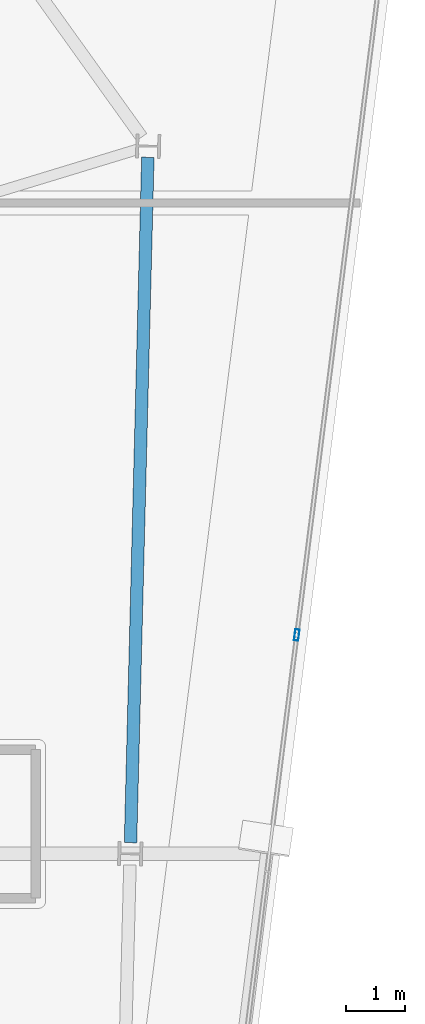
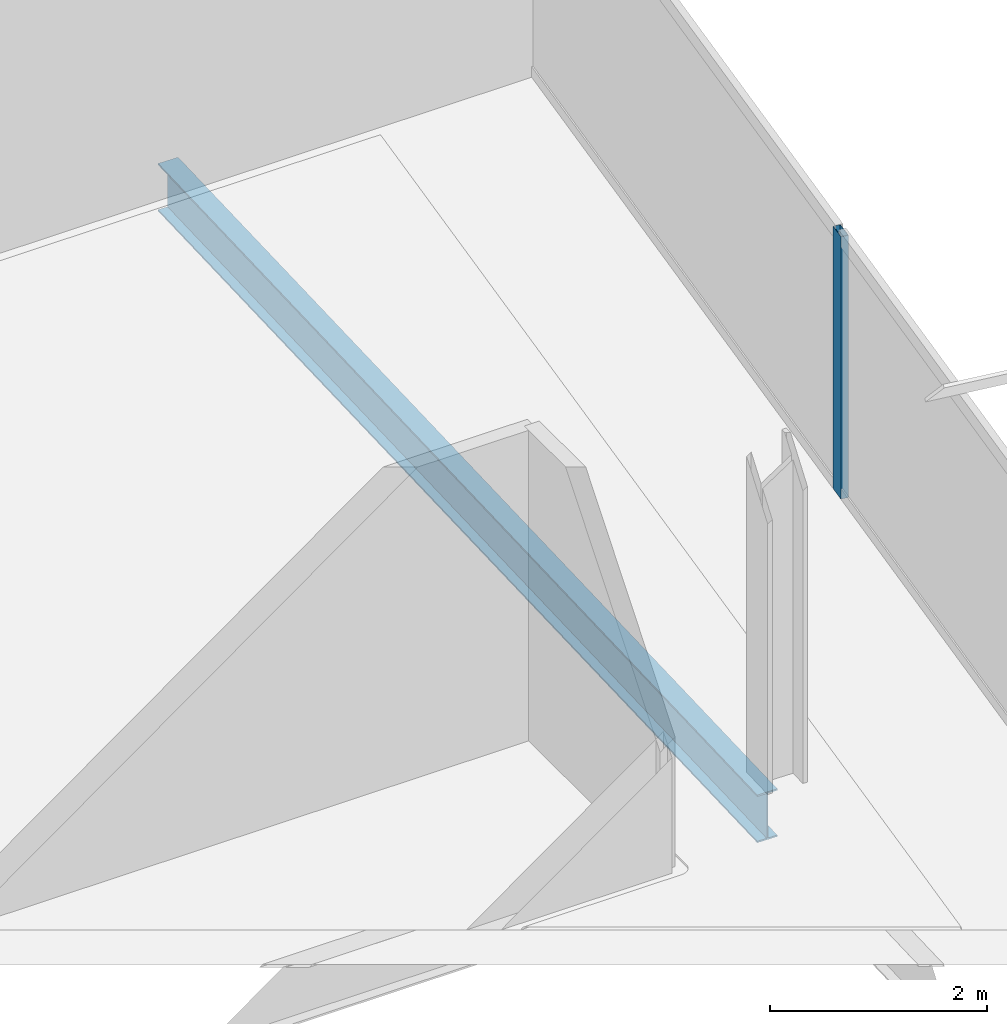
# One storey, part 10 of 23: 1 beam, 1 member, 1 element without a shape of its own.
"""IFC4 building model written with IfcOpenShell, lengths in metres."""

import ifcopenshell
import ifcopenshell.guid

model = None  # the IFC model being written
_history = None  # IfcOwnerHistory: only IFC2X3 demands one
_inside = {}  # id of a spatial element -> (the spatial element, [elements in it])
_under = {}  # id of a project, library or spatial element -> (it, [spatial elements below it])
_declared = {}  # id of a project -> (the project, [libraries it declares])
_typed = {}  # id of a type object -> (the type object, [elements of that type])
_made_of = {}  # id of a material, layer set ... -> (it, [elements and type objects made of it])


def new_model(schema):
    """Start an empty IFC model of exactly this schema.

    Asked for "IFC4X3", IfcOpenShell would pick the latest addendum, in which some entities
    have other attributes; the version numbers below select the first issue.
    IFC2X3 requires an IfcOwnerHistory on every rooted entity: one is made here for all.
    """
    global model, _history
    if schema == "IFC4X3":
        model = ifcopenshell.file(schema_version=(4, 3, 0, 0))
    else:
        model = ifcopenshell.file(schema=schema)
    _inside.clear()
    _under.clear()
    _declared.clear()
    _typed.clear()
    _made_of.clear()
    _history = None
    if model.schema == "IFC2X3":
        org = make("IfcOrganization", Name="unknown")
        user = make(
            "IfcPersonAndOrganization",
            ThePerson=make("IfcPerson", FamilyName="unknown"),
            TheOrganization=org,
        )
        app = make(
            "IfcApplication",
            ApplicationDeveloper=org,
            Version="unknown",
            ApplicationFullName="unknown",
            ApplicationIdentifier="unknown",
        )
        _history = make(
            "IfcOwnerHistory",
            OwningUser=user,
            OwningApplication=app,
            ChangeAction="ADDED",
            CreationDate=0,
        )
    return model


def make(cls, **values):
    """One entity of the class cls with the attributes given. An attribute that is None is left unset."""
    return model.create_entity(
        cls, **{name: value for name, value in values.items() if value is not None}
    )


def rooted(cls, **values):
    """An entity with a GlobalId (a new one), such as an element, a storey or a relation."""
    return make(cls, GlobalId=ifcopenshell.guid.new(), OwnerHistory=_history, **values)


def si_unit(unit_type, name, prefix=None):
    """IfcSIUnit, for example si_unit("LENGTHUNIT", "METRE", prefix="MILLI")."""
    return make("IfcSIUnit", UnitType=unit_type, Prefix=prefix, Name=name)


def assignment(units):
    """IfcUnitAssignment: the units of a project."""
    return None if units is None else make("IfcUnitAssignment", Units=units)


def point(xyz):
    """IfcCartesianPoint."""
    return None if xyz is None else make("IfcCartesianPoint", Coordinates=xyz)


def direction(xyz):
    """IfcDirection."""
    return None if xyz is None else make("IfcDirection", DirectionRatios=xyz)


def frame(location, z_axis=None, x_axis=None):
    """IfcAxis2Placement3D, a coordinate frame: its origin and axes. An axis left out is left unset."""
    return make(
        "IfcAxis2Placement3D",
        Location=point(location),
        Axis=direction(z_axis),
        RefDirection=direction(x_axis),
    )


def frame_2d(location, x_axis=None):
    """IfcAxis2Placement2D, a coordinate frame in the plane: its origin and x axis."""
    return make(
        "IfcAxis2Placement2D", Location=point(location), RefDirection=direction(x_axis)
    )


def origin():
    """The frame at (0, 0, 0) with its axes left unset."""
    return frame((0.0, 0.0, 0.0))


def origin_2d():
    """The frame at (0, 0) in the plane with its x axis left unset."""
    return frame_2d((0.0, 0.0))


def place(relative_to, where):
    """IfcLocalPlacement: puts the frame where relative to a parent placement (None: the world)."""
    return make(
        "IfcLocalPlacement", PlacementRelTo=relative_to, RelativePlacement=where
    )


def context(
    kind, dimensions, precision=None, world=None, true_north=None, identifier=None
):
    """IfcGeometricRepresentationContext, for example the 3D "Model" context."""
    return make(
        "IfcGeometricRepresentationContext",
        ContextIdentifier=identifier,
        ContextType=kind,
        CoordinateSpaceDimension=dimensions,
        Precision=precision,
        WorldCoordinateSystem=world,
        TrueNorth=true_north,
    )


def subcontext(parent, identifier, kind, view, scale=None):
    """IfcGeometricRepresentationSubContext, for example "Body" below "Model"."""
    return make(
        "IfcGeometricRepresentationSubContext",
        ContextIdentifier=identifier,
        ContextType=kind,
        ParentContext=parent,
        TargetScale=scale,
        TargetView=view,
    )


def project(units=None, contexts=None):
    """IfcProject with its units and contexts."""
    return rooted(
        "IfcProject",
        Name="project",
        RepresentationContexts=contexts,
        UnitsInContext=assignment(units),
    )


def spatial(cls, under=None, at=None, **own):
    """A site, building, storey or space (cls), placed at a placement, below another one or the project."""
    s = rooted(cls, ObjectPlacement=at, **own)
    if under is not None:
        _under.setdefault(under.id(), (under, []))[1].append(s)
    return s


def profile(cls, at=None, kind="AREA", **sizes):
    """A parametric profile (cls). Its sizes go by their IFC names, for example OverallWidth=200.0."""
    return make(cls, ProfileType=kind, Position=at, **sizes)


def hollow_rectangle(**sizes):
    """IfcRectangleHollowProfileDef."""
    return profile("IfcRectangleHollowProfileDef", **sizes)


def i_section(**sizes):
    """IfcIShapeProfileDef."""
    return profile("IfcIShapeProfileDef", **sizes)


def extrude(swept, where, along, depth):
    """IfcExtrudedAreaSolid: the profile swept, set in the frame where, extruded along a direction by depth."""
    return make(
        "IfcExtrudedAreaSolid",
        SweptArea=swept,
        Position=where,
        ExtrudedDirection=direction(along),
        Depth=depth,
    )


def shape(context_of_items, identifier, shape_type, items):
    """IfcShapeRepresentation: the items that make up one representation, for example the "Body"."""
    return make(
        "IfcShapeRepresentation",
        ContextOfItems=context_of_items,
        RepresentationIdentifier=identifier,
        RepresentationType=shape_type,
        Items=items,
    )


def material(Name=None, Category=None):
    """IfcMaterial."""
    return make("IfcMaterial", Name=Name, Category=Category)


def material_profile(
    of_material, cross_section, Name=None, Category=None, Priority=None
):
    """IfcMaterialProfile: a cross section and its material."""
    return make(
        "IfcMaterialProfile",
        Name=Name,
        Material=of_material,
        Profile=cross_section,
        Priority=Priority,
        Category=Category,
    )


def profile_set(profiles, Name=None, composite=None):
    """IfcMaterialProfileSet."""
    return make(
        "IfcMaterialProfileSet",
        Name=Name,
        MaterialProfiles=profiles,
        CompositeProfile=composite,
    )


def made_of(thing, what):
    """Note that an element or type object is made of a material, layer set ...; save() writes the relation."""
    if what is not None:
        _made_of.setdefault(what.id(), (what, []))[1].append(thing)
    return thing


def type_object(cls, material=None, **own):
    """A type object (cls), such as IfcWallType, which elements share."""
    return made_of(rooted(cls, **own), material)


def element(
    cls,
    number,
    at=None,
    inside=None,
    cuts=None,
    type_object=None,
    material=None,
    context=None,
    identifier="Body",
    shape_type=None,
    held_by="IfcProductDefinitionShape",
    body=None,
    shapes=None,
    **own,
):
    """One element of the class cls, such as IfcWall. Its Tag is "e" and its number.

    at: its placement. inside: the storey or other place that contains it. cuts: it is an
    opening in that element (IfcRelVoidsElement). A single representation is given by context,
    identifier, shape_type and body (its items); several are given by shapes. held_by: the class
    of the entity that holds the representations. save() writes the other relations.
    """
    e = rooted(cls, Tag="e%d" % number, ObjectPlacement=at, **own)
    if body is not None:
        shapes = [shape(context, identifier, shape_type, body)]
    if shapes is not None:
        e.Representation = make(held_by, Representations=shapes)
    if inside is not None:
        _inside.setdefault(inside.id(), (inside, []))[1].append(e)
    if cuts is not None:
        rooted(
            "IfcRelVoidsElement", RelatingBuildingElement=cuts, RelatedOpeningElement=e
        )
    if type_object is not None:
        _typed.setdefault(type_object.id(), (type_object, []))[1].append(e)
    return made_of(e, material)


def aggregate(whole, parts):
    """IfcRelAggregates: a whole, such as a stair, and the parts it consists of."""
    return rooted("IfcRelAggregates", RelatingObject=whole, RelatedObjects=parts)


def save(model, path):
    """Write the relations noted so far, then the file.

    IfcRelAggregates (storeys below a building ...), IfcRelContainedInSpatialStructure (elements
    in a storey), IfcRelDefinesByType, IfcRelAssociatesMaterial and IfcRelDeclares: one each for
    every whole, place, type object, material and project.
    """
    for whole, parts in _under.values():
        aggregate(whole, parts)
    for where, things in _inside.values():
        rooted(
            "IfcRelContainedInSpatialStructure",
            RelatedElements=things,
            RelatingStructure=where,
        )
    for kind, things in _typed.values():
        rooted("IfcRelDefinesByType", RelatedObjects=things, RelatingType=kind)
    for what, things in _made_of.values():
        rooted("IfcRelAssociatesMaterial", RelatedObjects=things, RelatingMaterial=what)
    for by, libraries in _declared.values():
        rooted("IfcRelDeclares", RelatingContext=by, RelatedDefinitions=libraries)
    model.write(path)


model = new_model("IFC4")

# Units and contexts
model_context = context("Model", 3, precision=1e-05, world=origin(), true_north=direction((0.0, 1.0)))
body_context = subcontext(model_context, "Body", "Model", "MODEL_VIEW")
ifc_project = project(units=[si_unit("LENGTHUNIT", "METRE"), si_unit("AREAUNIT", "SQUARE_METRE"), si_unit("VOLUMEUNIT", "CUBIC_METRE"), si_unit("PLANEANGLEUNIT", "RADIAN"), si_unit("MASSUNIT", "GRAM", prefix="KILO")], contexts=[model_context])

# Site, building, storey
site_placement = place(None, origin())
site = spatial("IfcSite", under=ifc_project, at=site_placement, CompositionType="ELEMENT")
building_placement = place(site_placement, origin())
building = spatial("IfcBuilding", under=site, at=building_placement, Name="Haldenkirk Collegiate Tower", CompositionType="ELEMENT")
storey_placement = place(building_placement, frame((0.0, 0.0, 306.449951171875)))
storey = spatial("IfcBuildingStorey", under=building, at=storey_placement, Name="L77", CompositionType="ELEMENT", Elevation=306.449951171875)

# Beam
ifc_material_1 = material(Name="Steel ASTM A992 Grade 50", Category="steel")
ifc_material_profile_1 = material_profile(ifc_material_1, i_section(OverallWidth=0.2099609375, OverallDepth=0.537109375, WebThickness=0.010986328125, FlangeThickness=0.017333984375, at=origin_2d()), Name="W21X68")
ifc_profile_set_1 = profile_set([ifc_material_profile_1], Name="Steel ASTM A992 Grade 50")
beam_type = type_object("IfcBeamType", Name="BM-SPANDREL-W21X68", PredefinedType="SPANDREL", material=ifc_profile_set_1)
beam_placement = place(storey_placement, frame((55.8984375, 25.684326171875, -0.528564453125), z_axis=(0.025302458902, 0.999679841536, 0.0), x_axis=(-0.999679841536, 0.025302458902, 0.0)))
element("IfcBeam", 1, at=beam_placement, inside=storey, type_object=beam_type, Name="L77 perimeter spandrel beam 03", PredefinedType="SPANDREL", context=body_context, shape_type="SweptSolid", body=[
    extrude(i_section(OverallWidth=0.2099609375, OverallDepth=0.537109375, WebThickness=0.010986328125, FlangeThickness=0.017333984375, at=origin_2d()), origin(), (0.0, 0.0, 1.0), 11.5400390625),
])

# Curtain wall, member
ifc_material_2 = material(Name="Anodised architectural bronze aluminium", Category="aluminium")
curtain_wall_type = type_object("IfcCurtainWallType", Name="CW-SYS2-CONCAVE", PredefinedType="USERDEFINED", material=ifc_material_2)
curtain_wall_placement = place(storey_placement, origin())
curtain_wall = element("IfcCurtainWall", 2, at=curtain_wall_placement, inside=storey, type_object=curtain_wall_type, Name="L77 South concave recessed bronze-anodised curtain wall", ObjectType="UNITISED CURTAIN WALL", PredefinedType="USERDEFINED")
ifc_material_profile_2 = material_profile(ifc_material_2, hollow_rectangle(XDim=0.074951171875, YDim=0.18994140625, WallThickness=0.0048828125, at=origin_2d()), Name="CW-MUL-02")
ifc_profile_set_2 = profile_set([ifc_material_profile_2], Name="Anodised architectural bronze aluminium")
member_type = type_object("IfcMemberType", Name="CW-MUL-02", PredefinedType="MULLION", material=ifc_profile_set_2)
member_placement = place(storey_placement, frame((58.697509765625, 29.180419921875, 0.0), z_axis=(0.0, 0.0, 1.0), x_axis=(0.992114676148, -0.125333432781, 0.0)))
member = element("IfcMember", 3, at=member_placement, type_object=member_type, Name="CW-02 mullion 2", PredefinedType="MULLION", context=body_context, shape_type="SweptSolid", body=[
    extrude(hollow_rectangle(XDim=0.074951171875, YDim=0.18994140625, WallThickness=0.0048828125, at=origin_2d()), origin(), (0.0, 0.0, 1.0), 2.947998046875),
])
aggregate(curtain_wall, [member])

save(model, "model.ifc")
